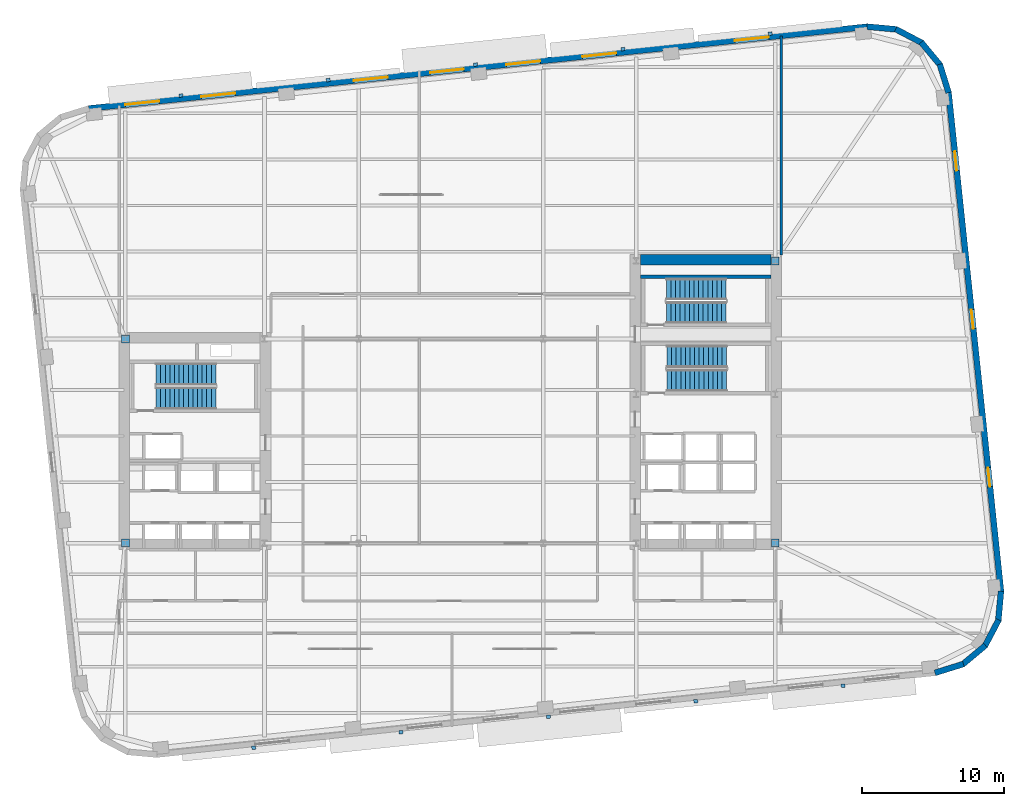
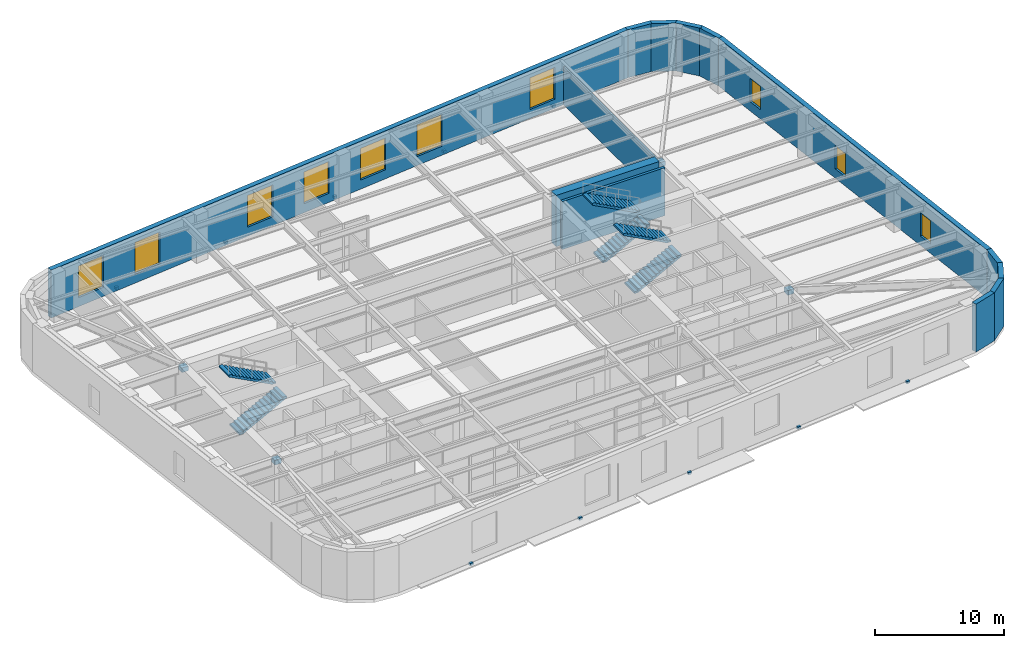
# One storey, part 10 of 14: 14 discrete accessories, 13 walls, 10 windows, 6 stair flights, 10 openings, 3 elements without a shape of their own.
"""IFC4 building model written with IfcOpenShell, lengths in metres."""

from ifc_helpers import new_model, si_unit, direction, frame, frame_2d, origin, origin_2d, place, context, subcontext, project, spatial, polyline, rectangle, outline, extrude, material, layer, layer_set, type_object, element, fill, aggregate, save


model = new_model("IFC4")

# Units and contexts
model_context = context("Model", 3, precision=1e-05, world=origin(), true_north=direction((0.0, 1.0)))
body_context = subcontext(model_context, "Body", "Model", "MODEL_VIEW")
ifc_project = project(units=[si_unit("LENGTHUNIT", "METRE"), si_unit("AREAUNIT", "SQUARE_METRE"), si_unit("VOLUMEUNIT", "CUBIC_METRE"), si_unit("PLANEANGLEUNIT", "RADIAN"), si_unit("MASSUNIT", "GRAM", prefix="KILO")], contexts=[model_context])

# Site, building, storey
site_placement = place(None, origin())
site = spatial("IfcSite", under=ifc_project, at=site_placement, CompositionType="ELEMENT")
building_placement = place(site_placement, origin())
building = spatial("IfcBuilding", under=site, at=building_placement, Name="Kolvaren Arena Tower", CompositionType="ELEMENT")
storey_placement = place(building_placement, frame((0.0, 0.0, 125.949951171875)))
storey = spatial("IfcBuildingStorey", under=building, at=storey_placement, Name="L29", CompositionType="ELEMENT", Elevation=125.949951171875)

# Walls
ifc_material_1 = material(Name="Gypsum board acoustic assembly", Category="gypsum")
ifc_layer_1 = layer(ifc_material_1, 0.159912109375)
ifc_layer_set_1 = layer_set([ifc_layer_1], Name="Gypsum board acoustic assembly")
wall_type_1 = type_object("IfcWallType", Name="CORR-160", PredefinedType="PARTITIONING", material=ifc_layer_set_1)
wall_1_placement = place(storey_placement, frame((60.780029296875, 39.75, 0.0), z_axis=(0.0, 0.0, 1.0), x_axis=(0.0, 1.0, 0.0)))
element("IfcWall", 1, at=wall_1_placement, inside=storey, type_object=wall_type_1, Name="Interior Partition Wall (L29)", PredefinedType="PARTITIONING", context=body_context, shape_type="SweptSolid", body=[
    extrude(rectangle(XDim=15.430908203125, YDim=0.159912109375, at=frame_2d((7.71533203125, 0.0))), origin(), (0.0, 0.0, 1.0), 3.590087890625),
])
ifc_material_2 = material(Name="Concrete 70 MPa", Category="concrete")
ifc_layer_2 = layer(ifc_material_2, 0.75)
ifc_layer_set_2 = layer_set([ifc_layer_2], Name="Concrete 70 MPa")
wall_type_2 = type_object("IfcWallType", Name="CWALL-750", PredefinedType="SHEAR", material=ifc_layer_set_2)
wall_2_placement = place(storey_placement, frame((50.85009765625, 39.425048828125, -0.31005859375), z_axis=(0.0, 0.0, 1.0), x_axis=(1.0, 0.0, 0.0)))
element("IfcWall", 2, at=wall_2_placement, inside=storey, type_object=wall_type_2, Name="Core Shear Wall EC-NORTH (L29)", PredefinedType="SHEAR", context=body_context, shape_type="SweptSolid", body=[
    extrude(rectangle(XDim=9.199951171875, YDim=0.75, at=frame_2d((4.60009765625, 0.0))), origin(), (0.0, 0.0, 1.0), 4.840087890625),
])
ifc_material_3 = material(Name="Precast concrete C50/60", Category="concrete")
ifc_layer_3 = layer(ifc_material_3, 0.419921875)
ifc_layer_set_3 = layer_set([ifc_layer_3], Name="Precast concrete C50/60")
wall_type_3 = type_object("IfcWallType", Name="EXT-PIER1", PredefinedType="SOLIDWALL", material=ifc_layer_set_3)
for number, where, z_axis, x_axis, name in (
    (3, (73.61328125, 10.93701171875, 0.0), (0.0, 0.0, 1.0), (-0.954993985335, -0.296625164093, 0.0), "Exterior Precast Masonry-Frame Wall (L29)"),
    (4, (75.1611328125, 12.2451171875, 0.0), (0.0, 0.0, 1.0), (-0.768800317178, -0.639488914921, 0.0), "Exterior Precast Masonry-Frame Wall (L29)"),
):
    element("IfcWall", number, at=place(storey_placement, frame(where, z_axis=z_axis, x_axis=x_axis)), inside=storey, type_object=wall_type_3, Name=name, PredefinedType="SOLIDWALL", context=body_context, shape_type="SweptSolid", body=[
        extrude(rectangle(XDim=2.10693359375, YDim=0.419921875, at=frame_2d((1.053466796875, 0.0))), origin(), (0.0, 0.0, 1.0), 4.530029296875),
    ])
wall_3_placement = place(storey_placement, frame((76.0908203125, 14.046142578125, 0.0), z_axis=(0.0, 0.0, 1.0), x_axis=(-0.465655699908, -0.884965970613, 0.0)))
element("IfcWall", 5, at=wall_3_placement, inside=storey, type_object=wall_type_3, Name="Exterior Precast Masonry-Frame Wall (L29)", PredefinedType="SOLIDWALL", context=body_context, shape_type="SweptSolid", body=[
    extrude(rectangle(XDim=2.107177734375, YDim=0.419921875, at=frame_2d((1.0537109375, 0.0))), origin(), (0.0, 0.0, 1.0), 4.530029296875),
])
wall_4_placement = place(storey_placement, frame((76.26025390625, 16.065673828125, 0.0), z_axis=(0.0, 0.0, 1.0), x_axis=(-0.091538655308, -0.995801523691, 0.0)))
element("IfcWall", 6, at=wall_4_placement, inside=storey, type_object=wall_type_3, Name="Exterior Precast Masonry-Frame Wall (L29)", PredefinedType="SOLIDWALL", context=body_context, shape_type="SweptSolid", body=[
    extrude(rectangle(XDim=2.10693359375, YDim=0.419921875, at=frame_2d((1.053466796875, 0.0))), origin(), (0.0, 0.0, 1.0), 4.530029296875),
])

# Wall, openings, windows
wall_5_placement = place(storey_placement, frame((72.560302734375, 51.23046875, 0.0), z_axis=(0.0, 0.0, 1.0), x_axis=(0.1045253859, -0.994522218808, 0.0)))
wall_5 = element("IfcWall", 7, at=wall_5_placement, inside=storey, type_object=wall_type_3, Name="Exterior Precast Masonry-Frame Wall (L29)", PredefinedType="SOLIDWALL", context=body_context, shape_type="SweptSolid", body=[
    extrude(rectangle(XDim=35.39990234375, YDim=0.419921875, at=frame_2d((17.699951171875, 0.0))), origin(), (0.0, 0.0, 1.0), 4.530029296875),
])
opening_1_placement = place(wall_5_placement, frame((4.199951171875, 0.0, 0.8798828125)))
opening_1 = element("IfcOpeningElement", 8, at=opening_1_placement, cuts=wall_5, Name="Opening W04", PredefinedType="OPENING", context=body_context, shape_type="SweptSolid", body=[
    extrude(rectangle(XDim=1.35009765625, YDim=2.199951171875, at=frame_2d((0.675048828125, 1.10009765625))), frame((0.0, 0.219970703125, 0.0), z_axis=(0.0, -1.0, 0.0), x_axis=(1.0, 0.0, 0.0)), (0.0, 0.0, 1.0), 0.43994140625),
])
opening_2_placement = place(wall_5_placement, frame((15.39990234375, 0.0, 0.8798828125)))
opening_2 = element("IfcOpeningElement", 9, at=opening_2_placement, cuts=wall_5, Name="Opening W04", PredefinedType="OPENING", context=body_context, shape_type="SweptSolid", body=[
    extrude(rectangle(XDim=1.35009765625, YDim=2.199951171875, at=frame_2d((0.675048828125, 1.10009765625))), frame((0.0, 0.219970703125, 0.0), z_axis=(0.0, -1.0, 0.0), x_axis=(1.0, 0.0, 0.0)), (0.0, 0.0, 1.0), 0.43994140625),
])
opening_3_placement = place(wall_5_placement, frame((26.60009765625, 0.0, 0.8798828125)))
opening_3 = element("IfcOpeningElement", 10, at=opening_3_placement, cuts=wall_5, Name="Opening W04", PredefinedType="OPENING", context=body_context, shape_type="SweptSolid", body=[
    extrude(rectangle(XDim=1.35009765625, YDim=2.199951171875, at=frame_2d((0.675048828125, 1.10009765625))), frame((0.0, 0.219970703125, 0.0), z_axis=(0.0, -1.0, 0.0), x_axis=(1.0, 0.0, 0.0)), (0.0, 0.0, 1.0), 0.43994140625),
])
ifc_material_4 = material(Name="Triple-glazed curved-facet corner window", Category="glass")
window_type_1 = type_object("IfcWindowType", Name="WIN-CRN-A", PartitioningType="SINGLE_PANEL", PredefinedType="WINDOW", material=ifc_material_4)
window_1_placement = place(opening_1_placement, origin())
window_1 = element("IfcWindow", 11, at=window_1_placement, inside=storey, type_object=window_type_1, Name="End-Wall Punched Window (L29)", OverallHeight=2.199951171875, OverallWidth=1.35009765625, PartitioningType="SINGLE_PANEL", PredefinedType="WINDOW", context=body_context, shape_type="SweptSolid", body=[
    extrude(rectangle(XDim=1.35009765625, YDim=2.199951171875, at=frame_2d((0.675048828125, 1.10009765625))), frame((0.0, 0.030029296875, 0.0), z_axis=(0.0, -1.0, 0.0), x_axis=(1.0, 0.0, 0.0)), (0.0, 0.0, 1.0), 0.06005859375),
])
fill(opening_1, window_1)
window_2_placement = place(opening_2_placement, origin())
window_2 = element("IfcWindow", 12, at=window_2_placement, inside=storey, type_object=window_type_1, Name="End-Wall Punched Window (L29)", OverallHeight=2.199951171875, OverallWidth=1.35009765625, PartitioningType="SINGLE_PANEL", PredefinedType="WINDOW", context=body_context, shape_type="SweptSolid", body=[
    extrude(rectangle(XDim=1.35009765625, YDim=2.199951171875, at=frame_2d((0.675048828125, 1.10009765625))), frame((0.0, 0.030029296875, 0.0), z_axis=(0.0, -1.0, 0.0), x_axis=(1.0, 0.0, 0.0)), (0.0, 0.0, 1.0), 0.06005859375),
])
fill(opening_2, window_2)
window_3_placement = place(opening_3_placement, origin())
window_3 = element("IfcWindow", 13, at=window_3_placement, inside=storey, type_object=window_type_1, Name="End-Wall Punched Window (L29)", OverallHeight=2.199951171875, OverallWidth=1.35009765625, PartitioningType="SINGLE_PANEL", PredefinedType="WINDOW", context=body_context, shape_type="SweptSolid", body=[
    extrude(rectangle(XDim=1.35009765625, YDim=2.199951171875, at=frame_2d((0.675048828125, 1.10009765625))), frame((0.0, 0.030029296875, 0.0), z_axis=(0.0, -1.0, 0.0), x_axis=(1.0, 0.0, 0.0)), (0.0, 0.0, 1.0), 0.06005859375),
])
fill(opening_3, window_3)

# Walls
for number, where, z_axis, x_axis, name in (
    (14, (71.943603515625, 53.202392578125, 0.0), (0.0, 0.0, 1.0), (0.296625164093, -0.954993985335, 0.0), "Exterior Precast Masonry-Frame Wall (L29)"),
    (15, (70.635498046875, 54.750244140625, 0.0), (0.0, 0.0, 1.0), (0.639488914921, -0.768800317178, 0.0), "Exterior Precast Masonry-Frame Wall (L29)"),
    (16, (68.83447265625, 55.6796875, 0.0), (0.0, 0.0, 1.0), (0.885013714693, -0.465564952296, 0.0), "Exterior Precast Masonry-Frame Wall (L29)"),
    (17, (66.81494140625, 55.849365234375, 0.0), (0.0, 0.0, 1.0), (0.995801523691, -0.091538655308, 0.0), "Exterior Precast Masonry-Frame Wall (L29)"),
):
    element("IfcWall", number, at=place(storey_placement, frame(where, z_axis=z_axis, x_axis=x_axis)), inside=storey, type_object=wall_type_3, Name=name, PredefinedType="SOLIDWALL", context=body_context, shape_type="SweptSolid", body=[
        extrude(rectangle(XDim=2.10693359375, YDim=0.419921875, at=frame_2d((1.053466796875, 0.0))), origin(), (0.0, 0.0, 1.0), 4.530029296875),
    ])

# Wall, openings, windows
wall_6_placement = place(storey_placement, frame((11.95849609375, 50.07958984375, 0.0), z_axis=(0.0, 0.0, 1.0), x_axis=(0.994521823388, 0.104529148113, 0.0)))
wall_6 = element("IfcWall", 18, at=wall_6_placement, inside=storey, type_object=wall_type_3, Name="Exterior Precast Masonry-Frame Wall (L29)", PredefinedType="SOLIDWALL", context=body_context, shape_type="SweptSolid", body=[
    extrude(rectangle(XDim=55.2001953125, YDim=0.419921875, at=frame_2d((27.60009765625, 0.0))), origin(), (0.0, 0.0, 1.0), 4.530029296875),
])
opening_4_placement = place(wall_6_placement, frame((2.60009765625, 0.0, 0.85009765625)))
opening_4 = element("IfcOpeningElement", 19, at=opening_4_placement, cuts=wall_6, Name="Opening W05", PredefinedType="OPENING", context=body_context, shape_type="SweptSolid", body=[
    extrude(rectangle(XDim=2.39990234375, YDim=3.0, at=frame_2d((1.199951171875, 1.5))), frame((0.0, 0.219970703125, 0.0), z_axis=(0.0, -1.0, 0.0), x_axis=(1.0, 0.0, 0.0)), (0.0, 0.0, 1.0), 0.43994140625),
])
opening_5_placement = place(wall_6_placement, frame((8.0, 0.0, 0.85009765625)))
opening_5 = element("IfcOpeningElement", 20, at=opening_5_placement, cuts=wall_6, Name="Opening W05", PredefinedType="OPENING", context=body_context, shape_type="SweptSolid", body=[
    extrude(rectangle(XDim=2.39990234375, YDim=3.0, at=frame_2d((1.199951171875, 1.5))), frame((0.0, 0.219970703125, 0.0), z_axis=(0.0, -1.0, 0.0), x_axis=(1.0, 0.0, 0.0)), (0.0, 0.0, 1.0), 0.43994140625),
])
opening_6_placement = place(wall_6_placement, frame((18.800048828125, 0.0, 0.85009765625)))
opening_6 = element("IfcOpeningElement", 21, at=opening_6_placement, cuts=wall_6, Name="Opening W05", PredefinedType="OPENING", context=body_context, shape_type="SweptSolid", body=[
    extrude(rectangle(XDim=2.39990234375, YDim=3.0, at=frame_2d((1.199951171875, 1.5))), frame((0.0, 0.219970703125, 0.0), z_axis=(0.0, -1.0, 0.0), x_axis=(1.0, 0.0, 0.0)), (0.0, 0.0, 1.0), 0.43994140625),
])
opening_7_placement = place(wall_6_placement, frame((24.199951171875, 0.0, 0.85009765625)))
opening_7 = element("IfcOpeningElement", 22, at=opening_7_placement, cuts=wall_6, Name="Opening W05", PredefinedType="OPENING", context=body_context, shape_type="SweptSolid", body=[
    extrude(rectangle(XDim=2.39990234375, YDim=3.0, at=frame_2d((1.199951171875, 1.5))), frame((0.0, 0.219970703125, 0.0), z_axis=(0.0, -1.0, 0.0), x_axis=(1.0, 0.0, 0.0)), (0.0, 0.0, 1.0), 0.43994140625),
])
opening_8_placement = place(wall_6_placement, frame((29.60009765625, 0.0, 0.85009765625)))
opening_8 = element("IfcOpeningElement", 23, at=opening_8_placement, cuts=wall_6, Name="Opening W05", PredefinedType="OPENING", context=body_context, shape_type="SweptSolid", body=[
    extrude(rectangle(XDim=2.39990234375, YDim=3.0, at=frame_2d((1.199951171875, 1.5))), frame((0.0, 0.219970703125, 0.0), z_axis=(0.0, -1.0, 0.0), x_axis=(1.0, 0.0, 0.0)), (0.0, 0.0, 1.0), 0.43994140625),
])
opening_9_placement = place(wall_6_placement, frame((35.0, 0.0, 0.85009765625)))
opening_9 = element("IfcOpeningElement", 24, at=opening_9_placement, cuts=wall_6, Name="Opening W05", PredefinedType="OPENING", context=body_context, shape_type="SweptSolid", body=[
    extrude(rectangle(XDim=2.39990234375, YDim=3.0, at=frame_2d((1.199951171875, 1.5))), frame((0.0, 0.219970703125, 0.0), z_axis=(0.0, -1.0, 0.0), x_axis=(1.0, 0.0, 0.0)), (0.0, 0.0, 1.0), 0.43994140625),
])
opening_10_placement = place(wall_6_placement, frame((45.800048828125, 0.0, 0.85009765625)))
opening_10 = element("IfcOpeningElement", 25, at=opening_10_placement, cuts=wall_6, Name="Opening W05", PredefinedType="OPENING", context=body_context, shape_type="SweptSolid", body=[
    extrude(rectangle(XDim=2.39990234375, YDim=3.0, at=frame_2d((1.199951171875, 1.5))), frame((0.0, 0.219970703125, 0.0), z_axis=(0.0, -1.0, 0.0), x_axis=(1.0, 0.0, 0.0)), (0.0, 0.0, 1.0), 0.43994140625),
])
ifc_material_5 = material(Name="Triple-glazed sky-lobby tall window", Category="glass")
window_type_2 = type_object("IfcWindowType", Name="WIN-SKY-A", PartitioningType="DOUBLE_PANEL_VERTICAL", PredefinedType="WINDOW", material=ifc_material_5)
window_4_placement = place(opening_4_placement, origin())
window_4 = element("IfcWindow", 26, at=window_4_placement, inside=storey, type_object=window_type_2, Name="Punched Precast-Pier Window (L29)", OverallHeight=3.0, OverallWidth=2.39990234375, PartitioningType="DOUBLE_PANEL_VERTICAL", PredefinedType="WINDOW", context=body_context, shape_type="SweptSolid", body=[
    extrude(rectangle(XDim=2.39990234375, YDim=3.0, at=frame_2d((1.199951171875, 1.5))), frame((0.0, 0.030029296875, 0.0), z_axis=(0.0, -1.0, 0.0), x_axis=(1.0, 0.0, 0.0)), (0.0, 0.0, 1.0), 0.06005859375),
])
fill(opening_4, window_4)
window_5_placement = place(opening_5_placement, origin())
window_5 = element("IfcWindow", 27, at=window_5_placement, inside=storey, type_object=window_type_2, Name="Punched Precast-Pier Window (L29)", OverallHeight=3.0, OverallWidth=2.39990234375, PartitioningType="DOUBLE_PANEL_VERTICAL", PredefinedType="WINDOW", context=body_context, shape_type="SweptSolid", body=[
    extrude(rectangle(XDim=2.39990234375, YDim=3.0, at=frame_2d((1.199951171875, 1.5))), frame((0.0, 0.030029296875, 0.0), z_axis=(0.0, -1.0, 0.0), x_axis=(1.0, 0.0, 0.0)), (0.0, 0.0, 1.0), 0.06005859375),
])
fill(opening_5, window_5)
window_6_placement = place(opening_6_placement, origin())
window_6 = element("IfcWindow", 28, at=window_6_placement, inside=storey, type_object=window_type_2, Name="Punched Precast-Pier Window (L29)", OverallHeight=3.0, OverallWidth=2.39990234375, PartitioningType="DOUBLE_PANEL_VERTICAL", PredefinedType="WINDOW", context=body_context, shape_type="SweptSolid", body=[
    extrude(rectangle(XDim=2.39990234375, YDim=3.0, at=frame_2d((1.199951171875, 1.5))), frame((0.0, 0.030029296875, 0.0), z_axis=(0.0, -1.0, 0.0), x_axis=(1.0, 0.0, 0.0)), (0.0, 0.0, 1.0), 0.06005859375),
])
fill(opening_6, window_6)
window_7_placement = place(opening_7_placement, origin())
window_7 = element("IfcWindow", 29, at=window_7_placement, inside=storey, type_object=window_type_2, Name="Punched Precast-Pier Window (L29)", OverallHeight=3.0, OverallWidth=2.39990234375, PartitioningType="DOUBLE_PANEL_VERTICAL", PredefinedType="WINDOW", context=body_context, shape_type="SweptSolid", body=[
    extrude(rectangle(XDim=2.39990234375, YDim=3.0, at=frame_2d((1.199951171875, 1.5))), frame((0.0, 0.030029296875, 0.0), z_axis=(0.0, -1.0, 0.0), x_axis=(1.0, 0.0, 0.0)), (0.0, 0.0, 1.0), 0.06005859375),
])
fill(opening_7, window_7)
window_8_placement = place(opening_8_placement, origin())
window_8 = element("IfcWindow", 30, at=window_8_placement, inside=storey, type_object=window_type_2, Name="Punched Precast-Pier Window (L29)", OverallHeight=3.0, OverallWidth=2.39990234375, PartitioningType="DOUBLE_PANEL_VERTICAL", PredefinedType="WINDOW", context=body_context, shape_type="SweptSolid", body=[
    extrude(rectangle(XDim=2.39990234375, YDim=3.0, at=frame_2d((1.199951171875, 1.5))), frame((0.0, 0.030029296875, 0.0), z_axis=(0.0, -1.0, 0.0), x_axis=(1.0, 0.0, 0.0)), (0.0, 0.0, 1.0), 0.06005859375),
])
fill(opening_8, window_8)
window_9_placement = place(opening_9_placement, origin())
window_9 = element("IfcWindow", 31, at=window_9_placement, inside=storey, type_object=window_type_2, Name="Punched Precast-Pier Window (L29)", OverallHeight=3.0, OverallWidth=2.39990234375, PartitioningType="DOUBLE_PANEL_VERTICAL", PredefinedType="WINDOW", context=body_context, shape_type="SweptSolid", body=[
    extrude(rectangle(XDim=2.39990234375, YDim=3.0, at=frame_2d((1.199951171875, 1.5))), frame((0.0, 0.030029296875, 0.0), z_axis=(0.0, -1.0, 0.0), x_axis=(1.0, 0.0, 0.0)), (0.0, 0.0, 1.0), 0.06005859375),
])
fill(opening_9, window_9)
window_10_placement = place(opening_10_placement, origin())
window_10 = element("IfcWindow", 32, at=window_10_placement, inside=storey, type_object=window_type_2, Name="Punched Precast-Pier Window (L29)", OverallHeight=3.0, OverallWidth=2.39990234375, PartitioningType="DOUBLE_PANEL_VERTICAL", PredefinedType="WINDOW", context=body_context, shape_type="SweptSolid", body=[
    extrude(rectangle(XDim=2.39990234375, YDim=3.0, at=frame_2d((1.199951171875, 1.5))), frame((0.0, 0.030029296875, 0.0), z_axis=(0.0, -1.0, 0.0), x_axis=(1.0, 0.0, 0.0)), (0.0, 0.0, 1.0), 0.06005859375),
])
fill(opening_10, window_10)

# Wall
ifc_material_6 = material(Name="Concrete 45 MPa", Category="concrete")
ifc_layer_4 = layer(ifc_material_6, 0.25)
ifc_layer_set_4 = layer_set([ifc_layer_4], Name="Concrete 45 MPa")
wall_type_4 = type_object("IfcWallType", Name="SHAFT-250", PredefinedType="SOLIDWALL", material=ifc_layer_set_4)
wall_7_placement = place(storey_placement, frame((50.85009765625, 38.219970703125, 0.0), z_axis=(0.0, 0.0, 1.0), x_axis=(1.0, 0.0, 0.0)))
element("IfcWall", 33, at=wall_7_placement, inside=storey, type_object=wall_type_4, Name="Core Shaft Wall (L29)", PredefinedType="SOLIDWALL", context=body_context, shape_type="SweptSolid", body=[
    extrude(rectangle(XDim=9.199951171875, YDim=0.239990234375, at=frame_2d((4.60009765625, 0.0))), origin(), (0.0, 0.0, 1.0), 4.530029296875),
])

# Stair, stair flights
stair_type_1 = type_object("IfcStairType", Name="STAIR-CORE-150", PredefinedType="HALF_TURN_STAIR", material=ifc_material_6)
stair_1_placement = place(storey_placement, origin())
stair_1 = element("IfcStair", 34, at=stair_1_placement, inside=storey, type_object=stair_type_1, Name="L29 ST-E2", PredefinedType="HALF_TURN_STAIR")
stair_flight_type_1 = type_object("IfcStairFlightType", Name="FLT-150", PredefinedType="STRAIGHT", material=ifc_material_6)
stair_flight_1_placement = place(storey_placement, frame((52.679931640625, 35.699951171875, 0.0), z_axis=(0.0, 0.0, 1.0), x_axis=(1.0, 0.0, 0.0)))
stair_flight_1 = element("IfcStairFlight", 35, at=stair_flight_1_placement, type_object=stair_flight_type_1, Name="ST-E2 flight 1", NumberOfRisers=14, NumberOfTreads=13, PredefinedType="STRAIGHT", RiserHeight=0.171428571, TreadLength=0.324, context=body_context, shape_type="SweptSolid", body=[
    extrude(outline(polyline([(0.0, 0.0), (0.0, 0.17138671875), (0.323974609375, 0.17138671875), (0.323974609375, 0.3427734375), (0.64794921875, 0.3427734375), (0.64794921875, 0.514404296875), (0.971923828125, 0.514404296875), (0.971923828125, 0.685791015625), (1.2958984375, 0.685791015625), (1.2958984375, 0.857177734375), (1.6201171875, 0.857177734375), (1.6201171875, 1.028564453125), (1.944091796875, 1.028564453125), (1.944091796875, 1.199951171875), (2.26806640625, 1.199951171875), (2.26806640625, 1.371337890625), (2.592041015625, 1.371337890625), (2.592041015625, 1.54296875), (2.916015625, 1.54296875), (2.916015625, 1.71435546875), (3.239990234375, 1.71435546875), (3.239990234375, 1.8857421875), (3.56396484375, 1.8857421875), (3.56396484375, 2.05712890625), (3.887939453125, 2.05712890625), (3.887939453125, 2.228515625), (4.2119140625, 2.228515625), (4.2119140625, 2.39990234375), (4.2119140625, 2.05908203125), (0.320556640625, 0.0), (0.0, 0.0)])), frame((0.0, 0.75, 0.0), z_axis=(0.0, -1.0, 0.0), x_axis=(1.0, 0.0, 0.0)), (0.0, 0.0, 1.0), 1.5),
])
stair_flight_2_placement = place(storey_placement, frame((56.89208984375, 37.35009765625, 2.400146484375), z_axis=(0.0, 0.0, 1.0), x_axis=(-1.0, 0.0, 0.0)))
stair_flight_2 = element("IfcStairFlight", 36, at=stair_flight_2_placement, type_object=stair_flight_type_1, Name="ST-E2 flight 2", NumberOfRisers=14, NumberOfTreads=13, PredefinedType="STRAIGHT", RiserHeight=0.171428571, TreadLength=0.324, context=body_context, shape_type="SweptSolid", body=[
    extrude(outline(polyline([(0.0, 0.0), (0.0, 0.17138671875), (0.323974609375, 0.17138671875), (0.323974609375, 0.3427734375), (0.64794921875, 0.3427734375), (0.64794921875, 0.514404296875), (0.971923828125, 0.514404296875), (0.971923828125, 0.685791015625), (1.2958984375, 0.685791015625), (1.2958984375, 0.857177734375), (1.6201171875, 0.857177734375), (1.6201171875, 1.028564453125), (1.944091796875, 1.028564453125), (1.944091796875, 1.199951171875), (2.26806640625, 1.199951171875), (2.26806640625, 1.371337890625), (2.592041015625, 1.371337890625), (2.592041015625, 1.54296875), (2.916015625, 1.54296875), (2.916015625, 1.71435546875), (3.239990234375, 1.71435546875), (3.239990234375, 1.8857421875), (3.56396484375, 1.8857421875), (3.56396484375, 2.05712890625), (3.887939453125, 2.05712890625), (3.887939453125, 2.228515625), (4.2119140625, 2.228515625), (4.2119140625, 2.39990234375), (4.2119140625, 2.05908203125), (0.320556640625, 0.0), (0.0, 0.0)])), frame((0.0, 0.75, 0.0), z_axis=(0.0, -1.0, 0.0), x_axis=(1.0, 0.0, 0.0)), (0.0, 0.0, 1.0), 1.5),
])
aggregate(stair_1, [stair_flight_1, stair_flight_2])

stair_type_2 = type_object("IfcStairType", Name="STAIR-CORE-165", PredefinedType="HALF_TURN_STAIR", material=ifc_material_6)
stair_2_placement = place(storey_placement, origin())
stair_2 = element("IfcStair", 37, at=stair_2_placement, inside=storey, type_object=stair_type_2, Name="L29 ST-W1", PredefinedType="HALF_TURN_STAIR")
stair_flight_type_2 = type_object("IfcStairFlightType", Name="FLT-165", PredefinedType="STRAIGHT", material=ifc_material_6)
stair_flight_3_placement = place(storey_placement, frame((16.719970703125, 29.669921875, 0.0), z_axis=(0.0, 0.0, 1.0), x_axis=(1.0, 0.0, 0.0)))
stair_flight_3 = element("IfcStairFlight", 38, at=stair_flight_3_placement, type_object=stair_flight_type_2, Name="ST-W1 flight 1", NumberOfRisers=14, NumberOfTreads=13, PredefinedType="STRAIGHT", RiserHeight=0.171428571, TreadLength=0.324, context=body_context, shape_type="SweptSolid", body=[
    extrude(outline(polyline([(0.0, 0.0), (0.0, 0.17138671875), (0.323974609375, 0.17138671875), (0.323974609375, 0.3427734375), (0.64794921875, 0.3427734375), (0.64794921875, 0.514404296875), (0.971923828125, 0.514404296875), (0.971923828125, 0.685791015625), (1.2958984375, 0.685791015625), (1.2958984375, 0.857177734375), (1.6201171875, 0.857177734375), (1.6201171875, 1.028564453125), (1.944091796875, 1.028564453125), (1.944091796875, 1.199951171875), (2.26806640625, 1.199951171875), (2.26806640625, 1.371337890625), (2.592041015625, 1.371337890625), (2.592041015625, 1.54296875), (2.916015625, 1.54296875), (2.916015625, 1.71435546875), (3.239990234375, 1.71435546875), (3.239990234375, 1.8857421875), (3.56396484375, 1.8857421875), (3.56396484375, 2.05712890625), (3.887939453125, 2.05712890625), (3.887939453125, 2.228515625), (4.2119140625, 2.228515625), (4.2119140625, 2.39990234375), (4.2119140625, 2.05908203125), (0.320556640625, 0.0), (0.0, 0.0)])), frame((0.0, 0.77001953125, 0.0), z_axis=(0.0, -1.0, 0.0), x_axis=(1.0, 0.0, 0.0)), (0.0, 0.0, 1.0), 1.5400390625),
])
stair_flight_4_placement = place(storey_placement, frame((20.931884765625, 31.360107421875, 2.400146484375), z_axis=(0.0, 0.0, 1.0), x_axis=(-1.0, 0.0, 0.0)))
stair_flight_4 = element("IfcStairFlight", 39, at=stair_flight_4_placement, type_object=stair_flight_type_2, Name="ST-W1 flight 2", NumberOfRisers=14, NumberOfTreads=13, PredefinedType="STRAIGHT", RiserHeight=0.171428571, TreadLength=0.324, context=body_context, shape_type="SweptSolid", body=[
    extrude(outline(polyline([(0.0, 0.0), (0.0, 0.17138671875), (0.323974609375, 0.17138671875), (0.323974609375, 0.3427734375), (0.64794921875, 0.3427734375), (0.64794921875, 0.514404296875), (0.971923828125, 0.514404296875), (0.971923828125, 0.685791015625), (1.2958984375, 0.685791015625), (1.2958984375, 0.857177734375), (1.6201171875, 0.857177734375), (1.6201171875, 1.028564453125), (1.944091796875, 1.028564453125), (1.944091796875, 1.199951171875), (2.26806640625, 1.199951171875), (2.26806640625, 1.371337890625), (2.592041015625, 1.371337890625), (2.592041015625, 1.54296875), (2.916015625, 1.54296875), (2.916015625, 1.71435546875), (3.239990234375, 1.71435546875), (3.239990234375, 1.8857421875), (3.56396484375, 1.8857421875), (3.56396484375, 2.05712890625), (3.887939453125, 2.05712890625), (3.887939453125, 2.228515625), (4.2119140625, 2.228515625), (4.2119140625, 2.39990234375), (4.2119140625, 2.05908203125), (0.320556640625, 0.0), (0.0, 0.0)])), frame((0.0, 0.77001953125, 0.0), z_axis=(0.0, -1.0, 0.0), x_axis=(1.0, 0.0, 0.0)), (0.0, 0.0, 1.0), 1.5400390625),
])
aggregate(stair_2, [stair_flight_3, stair_flight_4])

stair_3_placement = place(storey_placement, origin())
stair_3 = element("IfcStair", 40, at=stair_3_placement, inside=storey, type_object=stair_type_2, Name="L29 ST-E1", PredefinedType="HALF_TURN_STAIR")
stair_flight_5_placement = place(storey_placement, frame((52.719970703125, 30.919921875, 0.0), z_axis=(0.0, 0.0, 1.0), x_axis=(1.0, 0.0, 0.0)))
stair_flight_5 = element("IfcStairFlight", 41, at=stair_flight_5_placement, type_object=stair_flight_type_2, Name="ST-E1 flight 1", NumberOfRisers=14, NumberOfTreads=13, PredefinedType="STRAIGHT", RiserHeight=0.171428571, TreadLength=0.324, context=body_context, shape_type="SweptSolid", body=[
    extrude(outline(polyline([(0.0, 0.0), (0.0, 0.17138671875), (0.323974609375, 0.17138671875), (0.323974609375, 0.3427734375), (0.64794921875, 0.3427734375), (0.64794921875, 0.514404296875), (0.971923828125, 0.514404296875), (0.971923828125, 0.685791015625), (1.2958984375, 0.685791015625), (1.2958984375, 0.857177734375), (1.6201171875, 0.857177734375), (1.6201171875, 1.028564453125), (1.944091796875, 1.028564453125), (1.944091796875, 1.199951171875), (2.26806640625, 1.199951171875), (2.26806640625, 1.371337890625), (2.592041015625, 1.371337890625), (2.592041015625, 1.54296875), (2.916015625, 1.54296875), (2.916015625, 1.71435546875), (3.239990234375, 1.71435546875), (3.239990234375, 1.8857421875), (3.56396484375, 1.8857421875), (3.56396484375, 2.05712890625), (3.887939453125, 2.05712890625), (3.887939453125, 2.228515625), (4.2119140625, 2.228515625), (4.2119140625, 2.39990234375), (4.2119140625, 2.05908203125), (0.320556640625, 0.0), (0.0, 0.0)])), frame((0.0, 0.77001953125, 0.0), z_axis=(0.0, -1.0, 0.0), x_axis=(1.0, 0.0, 0.0)), (0.0, 0.0, 1.0), 1.5400390625),
])
stair_flight_6_placement = place(storey_placement, frame((56.931884765625, 32.610107421875, 2.400146484375), z_axis=(0.0, 0.0, 1.0), x_axis=(-1.0, 0.0, 0.0)))
stair_flight_6 = element("IfcStairFlight", 42, at=stair_flight_6_placement, type_object=stair_flight_type_2, Name="ST-E1 flight 2", NumberOfRisers=14, NumberOfTreads=13, PredefinedType="STRAIGHT", RiserHeight=0.171428571, TreadLength=0.324, context=body_context, shape_type="SweptSolid", body=[
    extrude(outline(polyline([(0.0, 0.0), (0.0, 0.17138671875), (0.323974609375, 0.17138671875), (0.323974609375, 0.3427734375), (0.64794921875, 0.3427734375), (0.64794921875, 0.514404296875), (0.971923828125, 0.514404296875), (0.971923828125, 0.685791015625), (1.2958984375, 0.685791015625), (1.2958984375, 0.857177734375), (1.6201171875, 0.857177734375), (1.6201171875, 1.028564453125), (1.944091796875, 1.028564453125), (1.944091796875, 1.199951171875), (2.26806640625, 1.199951171875), (2.26806640625, 1.371337890625), (2.592041015625, 1.371337890625), (2.592041015625, 1.54296875), (2.916015625, 1.54296875), (2.916015625, 1.71435546875), (3.239990234375, 1.71435546875), (3.239990234375, 1.8857421875), (3.56396484375, 1.8857421875), (3.56396484375, 2.05712890625), (3.887939453125, 2.05712890625), (3.887939453125, 2.228515625), (4.2119140625, 2.228515625), (4.2119140625, 2.39990234375), (4.2119140625, 2.05908203125), (0.320556640625, 0.0), (0.0, 0.0)])), frame((0.0, 0.77001953125, 0.0), z_axis=(0.0, -1.0, 0.0), x_axis=(1.0, 0.0, 0.0)), (0.0, 0.0, 1.0), 1.5400390625),
])
aggregate(stair_3, [stair_flight_5, stair_flight_6])

# Discrete accessories
ifc_material_7 = material(Name="Stainless steel facade support bracket", Category="steel")
discrete_accessory_type_1 = type_object("IfcDiscreteAccessoryType", Name="ACC-BRKT-1", PredefinedType="BRACKET", material=ifc_material_7)
for number, where, z_axis, x_axis, name in (
    (43, (18.468505859375, 50.9951171875, -0.18017578125), (0.0, 0.0, 1.0), (0.994522077803, 0.104526727499, 0.0), "Sunshade Support Bracket (L29)"),
    (44, (28.851318359375, 52.08642578125, -0.18017578125), (0.0, 0.0, 1.0), (0.994522077803, 0.104526727499, 0.0), "Sunshade Support Bracket (L29)"),
    (45, (39.234130859375, 53.177734375, -0.18017578125), (0.0, 0.0, 1.0), (0.994522077803, 0.104526727499, 0.0), "Sunshade Support Bracket (L29)"),
    (46, (49.616943359375, 54.268798828125, -0.18017578125), (0.0, 0.0, 1.0), (0.994522077803, 0.104526727499, 0.0), "Sunshade Support Bracket (L29)"),
    (47, (59.999755859375, 55.360107421875, -0.18017578125), (0.0, 0.0, 1.0), (0.994522077803, 0.104526727499, 0.0), "Sunshade Support Bracket (L29)"),
    (48, (65.131591796875, 9.40478515625, -0.18017578125), (0.0, 0.0, 1.0), (-0.994522077803, -0.104526727499, 0.0), "Sunshade Support Bracket (L29)"),
    (49, (54.748779296875, 8.313720703125, -0.18017578125), (0.0, 0.0, 1.0), (-0.994522077803, -0.104526727499, 0.0), "Sunshade Support Bracket (L29)"),
    (50, (44.365966796875, 7.222412109375, -0.18017578125), (0.0, 0.0, 1.0), (-0.994522077803, -0.104526727499, 0.0), "Sunshade Support Bracket (L29)"),
    (51, (33.983154296875, 6.131103515625, -0.18017578125), (0.0, 0.0, 1.0), (-0.994522077803, -0.104526727499, 0.0), "Sunshade Support Bracket (L29)"),
    (52, (23.600341796875, 5.039794921875, -0.18017578125), (0.0, 0.0, 1.0), (-0.994522077803, -0.104526727499, 0.0), "Sunshade Support Bracket (L29)"),
):
    element("IfcDiscreteAccessory", number, at=place(storey_placement, frame(where, z_axis=z_axis, x_axis=x_axis)), inside=storey, type_object=discrete_accessory_type_1, Name=name, PredefinedType="BRACKET", context=body_context, shape_type="SweptSolid", body=[
        extrude(rectangle(XDim=0.280029296875, YDim=0.239990234375, at=origin_2d()), origin(), (0.0, 0.0, 1.0), 0.239990234375),
    ])
ifc_material_8 = material(Name="Steel CSA G40.21 350W bolted gusset connection", Category="steel")
discrete_accessory_type_2 = type_object("IfcDiscreteAccessoryType", Name="ACC-CONN-1", PredefinedType="BRACKET", material=ifc_material_8)
for number, where, z_axis, x_axis, name in (
    (53, (60.35009765625, 19.449951171875, 3.923583984375), (0.0, 0.0, 1.0), (1.0, 0.0, 0.0), "Core Wall Cast-In Embed Plate EP1 (L29)"),
    (54, (60.35009765625, 39.35009765625, 3.923583984375), (0.0, 0.0, 1.0), (1.0, 0.0, 0.0), "Core Wall Cast-In Embed Plate EP1 (L29)"),
    (55, (14.550048828125, 33.85009765625, 3.923583984375), (0.0, 0.0, 1.0), (1.0, 0.0, 0.0), "Core Wall Cast-In Embed Plate EP1 (L29)"),
    (56, (14.550048828125, 19.449951171875, 3.923583984375), (0.0, 0.0, 1.0), (1.0, 0.0, 0.0), "Core Wall Cast-In Embed Plate EP1 (L29)"),
):
    element("IfcDiscreteAccessory", number, at=place(storey_placement, frame(where, z_axis=z_axis, x_axis=x_axis)), inside=storey, type_object=discrete_accessory_type_2, Name=name, PredefinedType="BRACKET", context=body_context, shape_type="SweptSolid", body=[
        extrude(rectangle(XDim=0.56005859375, YDim=0.56005859375, at=origin_2d()), origin(), (0.0, 0.0, 1.0), 0.43994140625),
    ])

save(model, "model.ifc")
